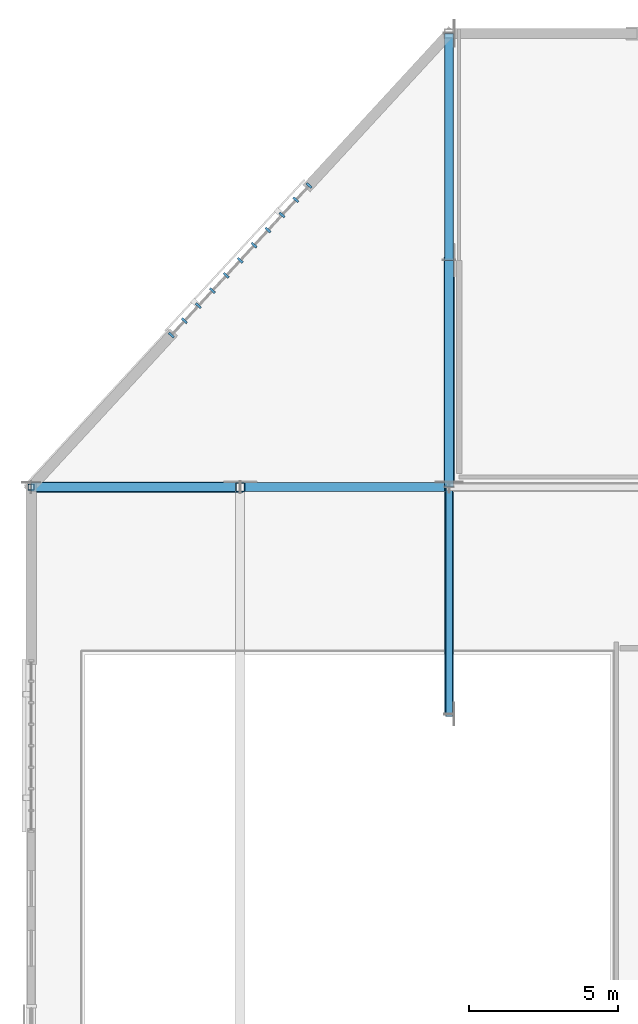
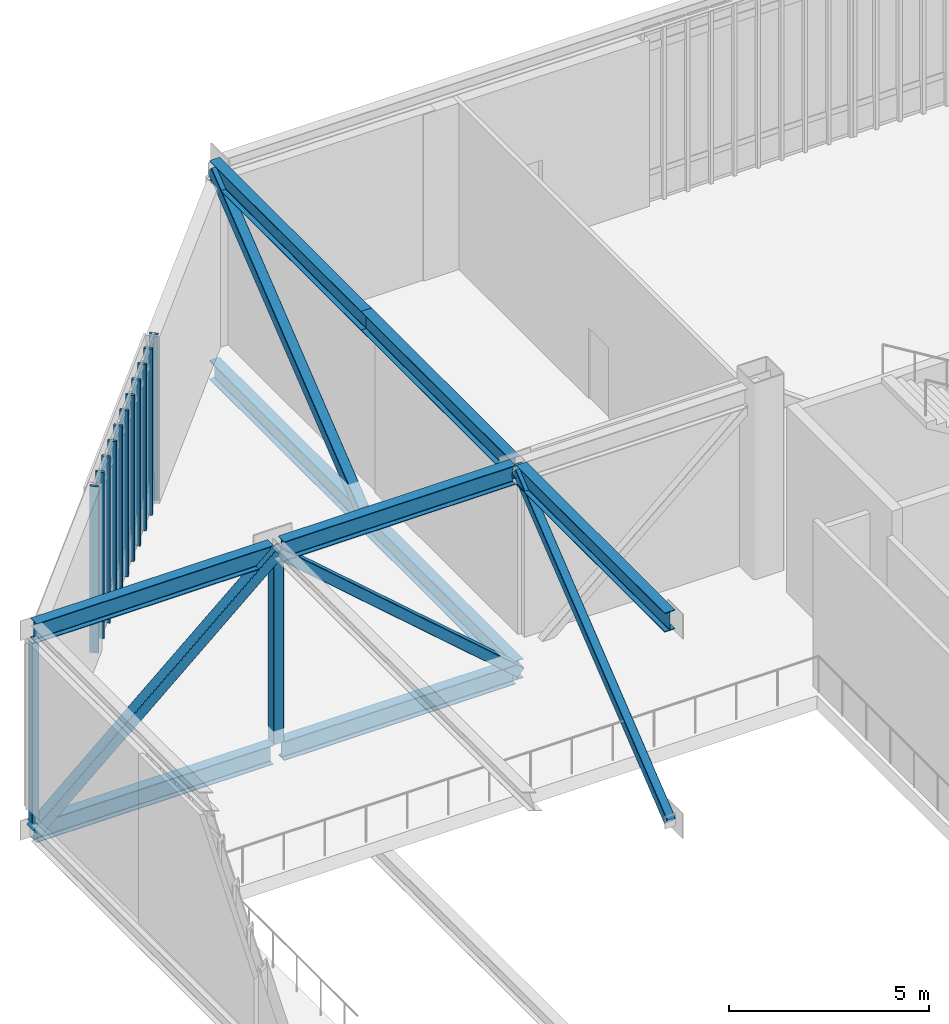
# One storey, part 27 of 135: 18 members, 9 beams, 1 element without a shape of its own.
"""IFC4 building model written with IfcOpenShell, lengths in metres."""

from ifc_helpers import new_model, si_unit, direction, frame, origin, origin_2d, place, context, subcontext, project, spatial, rectangle, hollow_rectangle, i_section, extrude, material, material_profile, profile_set, type_object, element, aggregate, save


model = new_model("IFC4")

# Units and contexts
model_context = context("Model", 3, precision=1e-05, world=origin(), true_north=direction((0.0, 1.0)))
body_context = subcontext(model_context, "Body", "Model", "MODEL_VIEW")
ifc_project = project(units=[si_unit("LENGTHUNIT", "METRE"), si_unit("AREAUNIT", "SQUARE_METRE"), si_unit("VOLUMEUNIT", "CUBIC_METRE"), si_unit("PLANEANGLEUNIT", "RADIAN"), si_unit("MASSUNIT", "GRAM", prefix="KILO")], contexts=[model_context])

# Site, building, storey
site_placement = place(None, origin())
site = spatial("IfcSite", under=ifc_project, at=site_placement, CompositionType="ELEMENT")
building_placement = place(site_placement, origin())
building = spatial("IfcBuilding", under=site, at=building_placement, Name="Larkvane Passage Sports Hall", CompositionType="ELEMENT")
storey_placement = place(building_placement, frame((0.0, 0.0, 10.800048828125)))
storey = spatial("IfcBuildingStorey", under=building, at=storey_placement, Name="L02", CompositionType="ELEMENT", Elevation=10.800048828125)

# Beams
ifc_material_1 = material(Name="Steel S460N", Category="steel")
ifc_material_profile_1 = material_profile(ifc_material_1, i_section(OverallWidth=0.300048828125, OverallDepth=0.587890625, WebThickness=0.011962890625, FlangeThickness=0.02001953125, FilletRadius=0.02197265625, at=origin_2d()), Name="H-588x300x12x20")
ifc_profile_set_1 = profile_set([ifc_material_profile_1], Name="Steel S460N")
beam_type = type_object("IfcBeamType", Name="BM-STL-H588", PredefinedType="BEAM", material=ifc_profile_set_1)
for number, where, z_axis, x_axis, name in (
    (1, (13.800048828125, 91.60009765625, -0.714111328125), (1.0, 0.0, 0.0), (0.0, 1.0, 0.0), "Cantilever truss CT-W2A-2 bottom chord 1"),
    (2, (13.800048828125, 91.60009765625, 5.385986328125), (1.0, 0.0, 0.0), (0.0, 1.0, 0.0), "Cantilever truss CT-W2A-2 top chord 1"),
):
    element("IfcBeam", number, at=place(storey_placement, frame(where, z_axis=z_axis, x_axis=x_axis)), inside=storey, type_object=beam_type, Name=name, PredefinedType="BEAM", context=body_context, shape_type="SweptSolid", body=[
        extrude(i_section(OverallWidth=0.300048828125, OverallDepth=0.587890625, WebThickness=0.011962890625, FlangeThickness=0.02001953125, FilletRadius=0.02197265625, at=origin_2d()), origin(), (0.0, 0.0, 1.0), 6.844970703125),
    ])
for number, where, z_axis, x_axis, name in (
    (3, (20.955078125, 91.60009765625, -0.714111328125), (1.0, 0.0, 0.0), (0.0, 1.0, 0.0), "Cantilever truss CT-W2A-2 bottom chord 2"),
    (4, (20.955078125, 91.60009765625, 5.385986328125), (1.0, 0.0, 0.0), (0.0, 1.0, 0.0), "Cantilever truss CT-W2A-2 top chord 2"),
):
    element("IfcBeam", number, at=place(storey_placement, frame(where, z_axis=z_axis, x_axis=x_axis)), inside=storey, type_object=beam_type, Name=name, PredefinedType="BEAM", context=body_context, shape_type="SweptSolid", body=[
        extrude(i_section(OverallWidth=0.300048828125, OverallDepth=0.587890625, WebThickness=0.011962890625, FlangeThickness=0.02001953125, FilletRadius=0.02197265625, at=origin_2d()), origin(), (0.0, 0.0, 1.0), 6.68994140625),
    ])
beam_1_placement = place(storey_placement, frame((27.800048828125, 84.0, 5.385986328125), z_axis=(0.0, 1.0, 0.0), x_axis=(-1.0, 0.0, 0.0)))
element("IfcBeam", 5, at=beam_1_placement, inside=storey, type_object=beam_type, Name="Cantilever truss CT-N2A-1 top chord 1", PredefinedType="BEAM", context=body_context, shape_type="SweptSolid", body=[
    extrude(i_section(OverallWidth=0.300048828125, OverallDepth=0.587890625, WebThickness=0.011962890625, FlangeThickness=0.02001953125, FilletRadius=0.02197265625, at=origin_2d()), origin(), (0.0, 0.0, 1.0), 7.445068359375),
])
beam_2_placement = place(storey_placement, frame((27.800048828125, 91.60009765625, -0.714111328125), z_axis=(0.0, 1.0, 0.0), x_axis=(-1.0, 0.0, 0.0)))
element("IfcBeam", 6, at=beam_2_placement, inside=storey, type_object=beam_type, Name="Cantilever truss CT-N2A-1 bottom chord 2", PredefinedType="BEAM", context=body_context, shape_type="SweptSolid", body=[
    extrude(i_section(OverallWidth=0.300048828125, OverallDepth=0.587890625, WebThickness=0.011962890625, FlangeThickness=0.02001953125, FilletRadius=0.02197265625, at=origin_2d()), origin(), (0.0, 0.0, 1.0), 7.599853515625),
])
beam_3_placement = place(storey_placement, frame((27.800048828125, 91.7548828125, 5.385986328125), z_axis=(0.0, 1.0, 0.0), x_axis=(-1.0, 0.0, 0.0)))
element("IfcBeam", 7, at=beam_3_placement, inside=storey, type_object=beam_type, Name="Cantilever truss CT-N2A-1 top chord 2", PredefinedType="BEAM", context=body_context, shape_type="SweptSolid", body=[
    extrude(i_section(OverallWidth=0.300048828125, OverallDepth=0.587890625, WebThickness=0.011962890625, FlangeThickness=0.02001953125, FilletRadius=0.02197265625, at=origin_2d()), origin(), (0.0, 0.0, 1.0), 7.445068359375),
])
for number, where, z_axis, x_axis, name in (
    (8, (27.800048828125, 99.199951171875, -0.714111328125), (0.0, 1.0, 0.0), (-1.0, 0.0, 0.0), "Cantilever truss CT-N2A-1 bottom chord 3"),
    (9, (27.800048828125, 99.199951171875, 5.385986328125), (0.0, 1.0, 0.0), (-1.0, 0.0, 0.0), "Cantilever truss CT-N2A-1 top chord 3"),
):
    element("IfcBeam", number, at=place(storey_placement, frame(where, z_axis=z_axis, x_axis=x_axis)), inside=storey, type_object=beam_type, Name=name, PredefinedType="BEAM", context=body_context, shape_type="SweptSolid", body=[
        extrude(i_section(OverallWidth=0.300048828125, OverallDepth=0.587890625, WebThickness=0.011962890625, FlangeThickness=0.02001953125, FilletRadius=0.02197265625, at=origin_2d()), origin(), (0.0, 0.0, 1.0), 7.60009765625),
    ])

# Curtain wall, members
ifc_material_2 = material(Name="Thermally broken aluminium and low-E glazing", Category="aluminium")
curtain_wall_type = type_object("IfcCurtainWallType", Name="CW-UNIT-VEIL", PredefinedType="USERDEFINED", material=ifc_material_2)
curtain_wall_placement = place(storey_placement, origin())
curtain_wall = element("IfcCurtainWall", 10, at=curtain_wall_placement, inside=storey, type_object=curtain_wall_type, Name="Curtain wall CW5-L02-097", ObjectType="UNITISED CURTAIN WALL", PredefinedType="USERDEFINED")
ifc_material_3 = material(Name="Anodised aluminium 6063-T6", Category="aluminium")
ifc_material_profile_2 = material_profile(ifc_material_3, rectangle(XDim=0.074951171875, YDim=0.22509765625, at=origin_2d()), Name="ALU-MUL-75x225")
ifc_profile_set_2 = profile_set([ifc_material_profile_2], Name="Anodised aluminium 6063-T6")
member_type_1 = type_object("IfcMemberType", Name="CW-MUL-75x225", PredefinedType="MULLION", material=ifc_profile_set_2)
member_1_placement = place(storey_placement, frame((18.4921875, 96.6943359375, 0.0), z_axis=(0.0, 0.0, 1.0), x_axis=(0.677475341367, 0.735545485908, 0.0)))
member_1 = element("IfcMember", 11, at=member_1_placement, type_object=member_type_1, Name="CW-02 mullion 1", PredefinedType="MULLION", context=body_context, shape_type="SweptSolid", body=[
    extrude(rectangle(XDim=0.074951171875, YDim=0.22509765625, at=origin_2d()), origin(), (0.0, 0.0, 1.0), 5.079833984375),
])
member_2_placement = place(storey_placement, frame((18.933349609375, 97.17333984375, 0.0), z_axis=(0.0, 0.0, 1.0), x_axis=(0.677475341367, 0.735545485908, 0.0)))
member_2 = element("IfcMember", 12, at=member_2_placement, type_object=member_type_1, Name="CW-02 mullion 2", PredefinedType="MULLION", context=body_context, shape_type="SweptSolid", body=[
    extrude(rectangle(XDim=0.074951171875, YDim=0.22509765625, at=origin_2d()), origin(), (0.0, 0.0, 1.0), 5.079833984375),
])
member_3_placement = place(storey_placement, frame((19.39990234375, 97.679931640625, 0.0), z_axis=(0.0, 0.0, 1.0), x_axis=(0.677475341367, 0.735545485908, 0.0)))
member_3 = element("IfcMember", 13, at=member_3_placement, type_object=member_type_1, Name="CW-02 mullion 3", PredefinedType="MULLION", context=body_context, shape_type="SweptSolid", body=[
    extrude(rectangle(XDim=0.074951171875, YDim=0.22509765625, at=origin_2d()), origin(), (0.0, 0.0, 1.0), 5.079833984375),
])
member_4_placement = place(storey_placement, frame((19.86669921875, 98.186767578125, 0.0), z_axis=(0.0, 0.0, 1.0), x_axis=(0.677475341367, 0.735545485908, 0.0)))
member_4 = element("IfcMember", 14, at=member_4_placement, type_object=member_type_1, Name="CW-02 mullion 4", PredefinedType="MULLION", context=body_context, shape_type="SweptSolid", body=[
    extrude(rectangle(XDim=0.074951171875, YDim=0.22509765625, at=origin_2d()), origin(), (0.0, 0.0, 1.0), 5.079833984375),
])
member_5_placement = place(storey_placement, frame((20.333251953125, 98.693359375, 0.0), z_axis=(0.0, 0.0, 1.0), x_axis=(0.677475341367, 0.735545485908, 0.0)))
member_5 = element("IfcMember", 15, at=member_5_placement, type_object=member_type_1, Name="CW-02 mullion 5", PredefinedType="MULLION", context=body_context, shape_type="SweptSolid", body=[
    extrude(rectangle(XDim=0.074951171875, YDim=0.22509765625, at=origin_2d()), origin(), (0.0, 0.0, 1.0), 5.079833984375),
])
member_6_placement = place(storey_placement, frame((20.800048828125, 99.199951171875, 0.0), z_axis=(0.0, 0.0, 1.0), x_axis=(0.677475341367, 0.735545485908, 0.0)))
member_6 = element("IfcMember", 16, at=member_6_placement, type_object=member_type_1, Name="CW-02 mullion 6", PredefinedType="MULLION", context=body_context, shape_type="SweptSolid", body=[
    extrude(rectangle(XDim=0.074951171875, YDim=0.22509765625, at=origin_2d()), origin(), (0.0, 0.0, 1.0), 5.079833984375),
])
member_7_placement = place(storey_placement, frame((21.2666015625, 99.70654296875, 0.0), z_axis=(0.0, 0.0, 1.0), x_axis=(0.677475341367, 0.735545485908, 0.0)))
member_7 = element("IfcMember", 17, at=member_7_placement, type_object=member_type_1, Name="CW-02 mullion 7", PredefinedType="MULLION", context=body_context, shape_type="SweptSolid", body=[
    extrude(rectangle(XDim=0.074951171875, YDim=0.22509765625, at=origin_2d()), origin(), (0.0, 0.0, 1.0), 5.079833984375),
])
member_8_placement = place(storey_placement, frame((21.7333984375, 100.21337890625, 0.0), z_axis=(0.0, 0.0, 1.0), x_axis=(0.677475341367, 0.735545485908, 0.0)))
member_8 = element("IfcMember", 18, at=member_8_placement, type_object=member_type_1, Name="CW-02 mullion 8", PredefinedType="MULLION", context=body_context, shape_type="SweptSolid", body=[
    extrude(rectangle(XDim=0.074951171875, YDim=0.22509765625, at=origin_2d()), origin(), (0.0, 0.0, 1.0), 5.079833984375),
])
member_9_placement = place(storey_placement, frame((22.199951171875, 100.719970703125, 0.0), z_axis=(0.0, 0.0, 1.0), x_axis=(0.677475341367, 0.735545485908, 0.0)))
member_9 = element("IfcMember", 19, at=member_9_placement, type_object=member_type_1, Name="CW-02 mullion 9", PredefinedType="MULLION", context=body_context, shape_type="SweptSolid", body=[
    extrude(rectangle(XDim=0.074951171875, YDim=0.22509765625, at=origin_2d()), origin(), (0.0, 0.0, 1.0), 5.079833984375),
])
member_10_placement = place(storey_placement, frame((22.666748046875, 101.2265625, 0.0), z_axis=(0.0, 0.0, 1.0), x_axis=(0.677475341367, 0.735545485908, 0.0)))
member_10 = element("IfcMember", 20, at=member_10_placement, type_object=member_type_1, Name="CW-02 mullion 10", PredefinedType="MULLION", context=body_context, shape_type="SweptSolid", body=[
    extrude(rectangle(XDim=0.074951171875, YDim=0.22509765625, at=origin_2d()), origin(), (0.0, 0.0, 1.0), 5.079833984375),
])
member_11_placement = place(storey_placement, frame((23.10791015625, 101.705810546875, 0.0), z_axis=(0.0, 0.0, 1.0), x_axis=(0.677475341367, 0.735545485908, 0.0)))
member_11 = element("IfcMember", 21, at=member_11_placement, type_object=member_type_1, Name="CW-02 mullion 11", PredefinedType="MULLION", context=body_context, shape_type="SweptSolid", body=[
    extrude(rectangle(XDim=0.074951171875, YDim=0.22509765625, at=origin_2d()), origin(), (0.0, 0.0, 1.0), 5.079833984375),
])
aggregate(curtain_wall, [member_1, member_2, member_3, member_4, member_5, member_6, member_7, member_8, member_9, member_10, member_11])

# Members
ifc_material_profile_3 = material_profile(ifc_material_1, hollow_rectangle(XDim=0.25, YDim=0.25, WallThickness=0.011962890625, InnerFilletRadius=0.011962890625, OuterFilletRadius=0.02392578125, at=origin_2d()), Name="SHS-250x250x12")
ifc_profile_set_3 = profile_set([ifc_material_profile_3], Name="Steel S460N")
member_type_2 = type_object("IfcMemberType", Name="MBR-BR-SHS250", PredefinedType="BRACE", material=ifc_profile_set_3)
member_12_placement = place(storey_placement, frame((27.800048828125, 84.0, -0.714111328125), z_axis=(0.0, 0.779865728691, 0.625946838968), x_axis=(-1.0, 0.0, 0.0)))
element("IfcMember", 22, at=member_12_placement, inside=storey, type_object=member_type_2, Name="Cantilever truss CT-N2A-1 web diagonal 1", PredefinedType="BRACE", context=body_context, shape_type="SweptSolid", body=[
    extrude(hollow_rectangle(XDim=0.25, YDim=0.25, WallThickness=0.011962890625, InnerFilletRadius=0.011962890625, OuterFilletRadius=0.02392578125, at=origin_2d()), origin(), (0.0, 0.0, 1.0), 9.745361328125),
])
ifc_material_profile_4 = material_profile(ifc_material_1, hollow_rectangle(XDim=0.300048828125, YDim=0.300048828125, WallThickness=0.011962890625, InnerFilletRadius=0.011962890625, OuterFilletRadius=0.02392578125, at=origin_2d()), Name="SHS-300x300x12")
ifc_profile_set_4 = profile_set([ifc_material_profile_4], Name="Steel S460N")
member_type_3 = type_object("IfcMemberType", Name="MBR-BR-SHS300", PredefinedType="BRACE", material=ifc_profile_set_4)
member_13_placement = place(storey_placement, frame((20.800048828125, 91.60009765625, 5.385986328125), z_axis=(0.753904293317, 0.0, -0.656984258957), x_axis=(0.0, 1.0, 0.0)))
element("IfcMember", 23, at=member_13_placement, inside=storey, type_object=member_type_3, Name="Cantilever truss CT-W2A-2 web diagonal 2", PredefinedType="BRACE", context=body_context, shape_type="SweptSolid", body=[
    extrude(hollow_rectangle(XDim=0.300048828125, YDim=0.300048828125, WallThickness=0.011962890625, InnerFilletRadius=0.011962890625, OuterFilletRadius=0.02392578125, at=origin_2d()), origin(), (0.0, 0.0, 1.0), 9.284912109375),
])
member_14_placement = place(storey_placement, frame((27.800048828125, 99.199951171875, -0.714111328125), z_axis=(0.0, 0.779865728691, 0.625946838968), x_axis=(-1.0, 0.0, 0.0)))
element("IfcMember", 24, at=member_14_placement, inside=storey, type_object=member_type_3, Name="Cantilever truss CT-N2A-1 web diagonal 3", PredefinedType="BRACE", context=body_context, shape_type="SweptSolid", body=[
    extrude(hollow_rectangle(XDim=0.300048828125, YDim=0.300048828125, WallThickness=0.011962890625, InnerFilletRadius=0.011962890625, OuterFilletRadius=0.02392578125, at=origin_2d()), origin(), (0.0, 0.0, 1.0), 9.745361328125),
])
ifc_material_profile_5 = material_profile(ifc_material_1, hollow_rectangle(XDim=0.35009765625, YDim=0.35009765625, WallThickness=0.01611328125, InnerFilletRadius=0.01611328125, OuterFilletRadius=0.031982421875, at=origin_2d()), Name="SHS-350x350x16")
ifc_profile_set_5 = profile_set([ifc_material_profile_5], Name="Steel S460N")
member_type_4 = type_object("IfcMemberType", Name="MBR-BR-SHS350", PredefinedType="BRACE", material=ifc_profile_set_5)
member_15_placement = place(storey_placement, frame((13.800048828125, 91.60009765625, -0.714111328125), z_axis=(0.753904293317, 0.0, 0.656984258957), x_axis=(0.0, 1.0, 0.0)))
element("IfcMember", 25, at=member_15_placement, inside=storey, type_object=member_type_4, Name="Cantilever truss CT-W2A-2 web diagonal 1", PredefinedType="BRACE", context=body_context, shape_type="SweptSolid", body=[
    extrude(hollow_rectangle(XDim=0.35009765625, YDim=0.35009765625, WallThickness=0.01611328125, InnerFilletRadius=0.01611328125, OuterFilletRadius=0.031982421875, at=origin_2d()), origin(), (0.0, 0.0, 1.0), 9.284912109375),
])
member_16_placement = place(storey_placement, frame((27.800048828125, 91.60009765625, 5.385986328125), z_axis=(0.0, 0.779855912831, -0.625959068328), x_axis=(-1.0, 0.0, 0.0)))
element("IfcMember", 26, at=member_16_placement, inside=storey, type_object=member_type_4, Name="Cantilever truss CT-N2A-1 web diagonal 2", PredefinedType="BRACE", context=body_context, shape_type="SweptSolid", body=[
    extrude(hollow_rectangle(XDim=0.35009765625, YDim=0.35009765625, WallThickness=0.01611328125, InnerFilletRadius=0.01611328125, OuterFilletRadius=0.031982421875, at=origin_2d()), origin(), (0.0, 0.0, 1.0), 9.7451171875),
])
ifc_material_profile_6 = material_profile(ifc_material_1, hollow_rectangle(XDim=0.199951171875, YDim=0.199951171875, WallThickness=0.009033203125, InnerFilletRadius=0.009033203125, OuterFilletRadius=0.01806640625, at=origin_2d()), Name="SHS-200x200x9")
ifc_profile_set_6 = profile_set([ifc_material_profile_6], Name="Steel S460N")
member_type_5 = type_object("IfcMemberType", Name="MBR-ST-SHS200", PredefinedType="STRUT", material=ifc_profile_set_6)
member_17_placement = place(storey_placement, frame((13.800048828125, 91.60009765625, -0.420166015625), z_axis=(0.0, 0.0, 1.0), x_axis=(1.0, 0.0, 0.0)))
element("IfcMember", 27, at=member_17_placement, inside=storey, type_object=member_type_5, Name="Cantilever truss CT-W2A-2 vertical post 1", PredefinedType="STRUT", context=body_context, shape_type="SweptSolid", body=[
    extrude(hollow_rectangle(XDim=0.199951171875, YDim=0.199951171875, WallThickness=0.009033203125, InnerFilletRadius=0.009033203125, OuterFilletRadius=0.01806640625, at=origin_2d()), origin(), (0.0, 0.0, 1.0), 5.51220703125),
])
ifc_material_profile_7 = material_profile(ifc_material_1, hollow_rectangle(XDim=0.300048828125, YDim=0.300048828125, WallThickness=0.011962890625, InnerFilletRadius=0.011962890625, OuterFilletRadius=0.02392578125, at=origin_2d()), Name="SHS-300x300x12")
ifc_profile_set_7 = profile_set([ifc_material_profile_7], Name="Steel S460N")
member_type_6 = type_object("IfcMemberType", Name="MBR-ST-SHS300", PredefinedType="STRUT", material=ifc_profile_set_7)
member_18_placement = place(storey_placement, frame((20.800048828125, 91.60009765625, -0.420166015625), z_axis=(0.0, 0.0, 1.0), x_axis=(1.0, 0.0, 0.0)))
element("IfcMember", 28, at=member_18_placement, inside=storey, type_object=member_type_6, Name="Cantilever truss CT-W2A-2 vertical post 2", PredefinedType="STRUT", context=body_context, shape_type="SweptSolid", body=[
    extrude(hollow_rectangle(XDim=0.300048828125, YDim=0.300048828125, WallThickness=0.011962890625, InnerFilletRadius=0.011962890625, OuterFilletRadius=0.02392578125, at=origin_2d()), origin(), (0.0, 0.0, 1.0), 5.51220703125),
])

save(model, "model.ifc")
